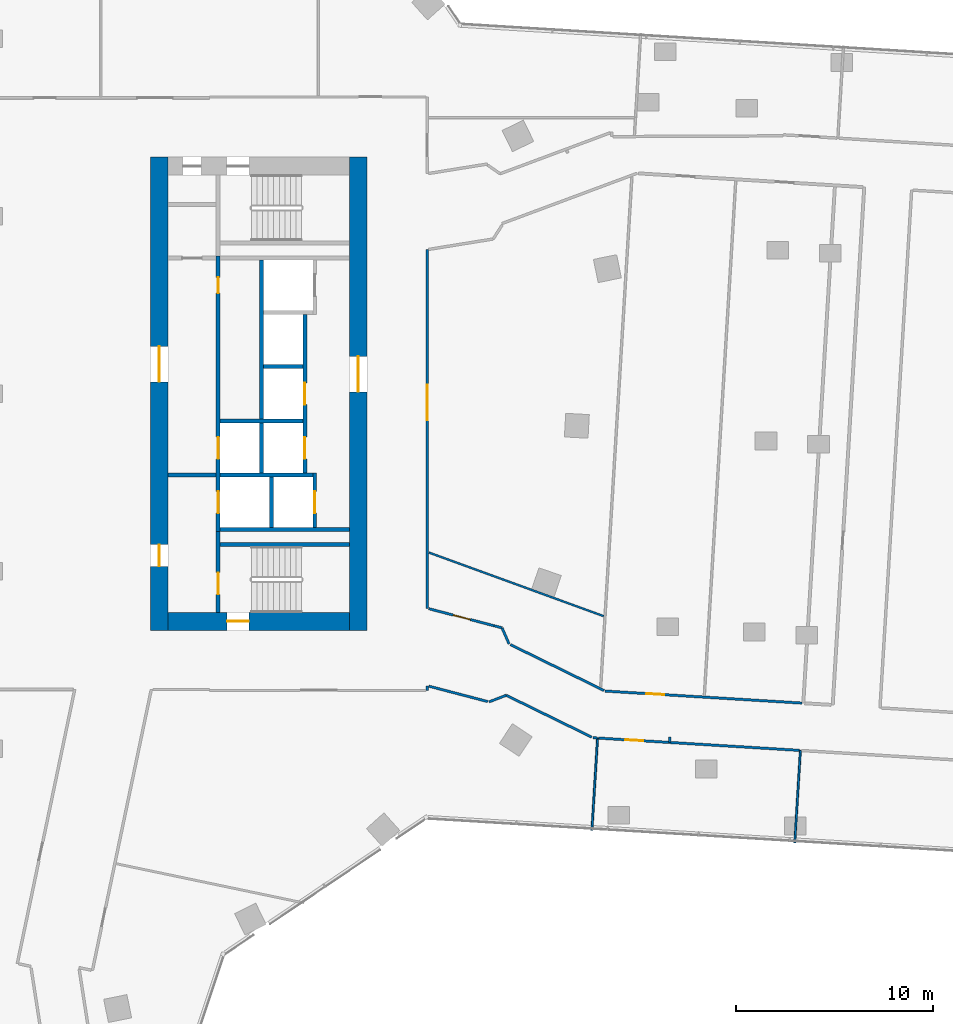
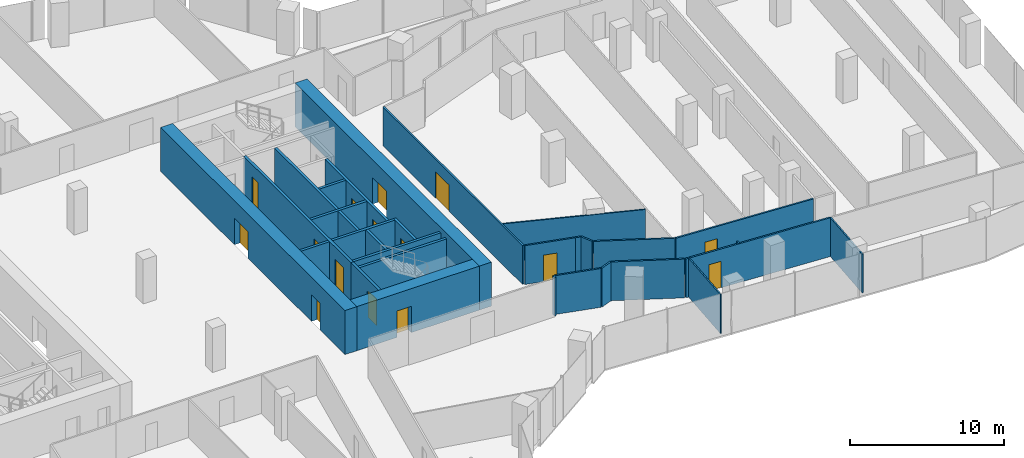
# One storey, part 24 of 32: 32 walls, 15 doors, 15 openings.
"""IFC4 building model written with IfcOpenShell, lengths in metres."""

from ifc_helpers import new_model, si_unit, direction, frame, frame_2d, origin, place, context, subcontext, project, spatial, rectangle, extrude, material, layer, layer_set, type_object, element, fill, save


model = new_model("IFC4")

# Units and contexts
model_context = context("Model", 3, precision=1e-05, world=origin(), true_north=direction((0.0, 1.0)))
body_context = subcontext(model_context, "Body", "Model", "MODEL_VIEW")
ifc_project = project(units=[si_unit("LENGTHUNIT", "METRE"), si_unit("AREAUNIT", "SQUARE_METRE"), si_unit("VOLUMEUNIT", "CUBIC_METRE"), si_unit("PLANEANGLEUNIT", "RADIAN"), si_unit("MASSUNIT", "GRAM", prefix="KILO")], contexts=[model_context])

# Site, building, storey
site_placement = place(None, origin())
site = spatial("IfcSite", under=ifc_project, at=site_placement, CompositionType="ELEMENT")
building_placement = place(site_placement, origin())
building = spatial("IfcBuilding", under=site, at=building_placement, Name="Orlundy Tower", CompositionType="ELEMENT")
storey_placement = place(building_placement, frame((0.0, 0.0, 152.60009765625)))
storey = spatial("IfcBuildingStorey", under=building, at=storey_placement, Name="L39", CompositionType="ELEMENT", Elevation=152.60009765625)

# Wall, opening, door
ifc_material_1 = material(Name="Concrete C70/85", Category="concrete")
ifc_layer_1 = layer(ifc_material_1, 0.89990234375)
ifc_layer_set_1 = layer_set([ifc_layer_1], Name="CORE WALL 900 C70/85")
wall_type_1 = type_object("IfcWallType", Name="CORE WALL 900 C70/85", PredefinedType="SHEAR", material=ifc_layer_set_1)
wall_1_placement = place(storey_placement, frame((8.89990234375, -11.550048828125, 0.0), z_axis=(0.0, 0.0, 1.0), x_axis=(1.0, 0.0, 0.0)))
wall_1 = element("IfcWall", 1, at=wall_1_placement, inside=storey, type_object=wall_type_1, Name="Core wall E-S L39", PredefinedType="SHEAR", context=body_context, shape_type="SweptSolid", body=[
    extrude(rectangle(XDim=9.2001953125, YDim=0.89990234375, at=frame_2d((4.60009765625, 0.0))), origin(), (0.0, 0.0, 1.0), 3.5),
])
opening_1_placement = place(wall_1_placement, frame((3.0, 0.0, 0.0)))
opening_1 = element("IfcOpeningElement", 2, at=opening_1_placement, cuts=wall_1, Name="Opening 30060", PredefinedType="OPENING", context=body_context, shape_type="SweptSolid", body=[
    extrude(rectangle(XDim=1.10009765625, YDim=2.10009765625, at=frame_2d((0.550048828125, 1.050048828125))), frame((0.0, 0.4599609375, 0.0), z_axis=(0.0, -1.0, 0.0), x_axis=(1.0, 0.0, 0.0)), (0.0, 0.0, 1.0), 0.919921875),
])
ifc_material_2 = material(Name="Steel door set", Category="steel")
door_type_1 = type_object("IfcDoorType", Name="Stair Door 1100x2100", OperationType="SINGLE_SWING_LEFT", PredefinedType="DOOR", material=ifc_material_2)
door_1_placement = place(opening_1_placement, origin())
door_1 = element("IfcDoor", 3, at=door_1_placement, inside=storey, type_object=door_type_1, Name="Stair door 30060", OperationType="SINGLE_SWING_LEFT", OverallHeight=2.10009765625, OverallWidth=1.10009765625, PredefinedType="DOOR", context=body_context, shape_type="SweptSolid", body=[
    extrude(rectangle(XDim=1.10009765625, YDim=2.10009765625, at=frame_2d((0.550048828125, 1.050048828125))), frame((0.0, 0.02490234375, 0.0), z_axis=(0.0, -1.0, 0.0), x_axis=(1.0, 0.0, 0.0)), (0.0, 0.0, 1.0), 0.050048828125),
])
fill(opening_1, door_1)

# Wall, openings, doors
wall_2_placement = place(storey_placement, frame((8.449951171875, -12.0, 0.0), z_axis=(0.0, 0.0, 1.0), x_axis=(0.0, 1.0, 0.0)))
wall_2 = element("IfcWall", 4, at=wall_2_placement, inside=storey, type_object=wall_type_1, Name="Core wall E-W L39", PredefinedType="SHEAR", context=body_context, shape_type="SweptSolid", body=[
    extrude(rectangle(XDim=24.0, YDim=0.89990234375, at=frame_2d((12.0, 0.0))), origin(), (0.0, 0.0, 1.0), 3.5),
])
opening_2_placement = place(wall_2_placement, frame((12.60009765625, 0.0, 0.0)))
opening_2 = element("IfcOpeningElement", 5, at=opening_2_placement, cuts=wall_2, Name="Opening 30057", PredefinedType="OPENING", context=body_context, shape_type="SweptSolid", body=[
    extrude(rectangle(XDim=1.800048828125, YDim=2.10009765625, at=frame_2d((0.89990234375, 1.050048828125))), frame((0.0, 0.4599609375, 0.0), z_axis=(0.0, -1.0, 0.0), x_axis=(1.0, 0.0, 0.0)), (0.0, 0.0, 1.0), 0.919921875),
])
opening_3_placement = place(wall_2_placement, frame((3.25, 0.0, 0.0)))
opening_3 = element("IfcOpeningElement", 6, at=opening_3_placement, cuts=wall_2, Name="Opening 30059", PredefinedType="OPENING", context=body_context, shape_type="SweptSolid", body=[
    extrude(rectangle(XDim=1.10009765625, YDim=2.10009765625, at=frame_2d((0.550048828125, 1.050048828125))), frame((0.0, 0.4599609375, 0.0), z_axis=(0.0, -1.0, 0.0), x_axis=(1.0, 0.0, 0.0)), (0.0, 0.0, 1.0), 0.919921875),
])
ifc_material_3 = material(Name="Steel door set", Category="steel")
door_type_2 = type_object("IfcDoorType", Name="Fire-fighting Lobby Door 1100x2100", OperationType="SINGLE_SWING_LEFT", PredefinedType="DOOR", material=ifc_material_3)
door_2_placement = place(opening_3_placement, origin())
door_2 = element("IfcDoor", 7, at=door_2_placement, inside=storey, type_object=door_type_2, Name="Fire-fighting lobby door 30059", OperationType="SINGLE_SWING_LEFT", OverallHeight=2.10009765625, OverallWidth=1.10009765625, PredefinedType="DOOR", context=body_context, shape_type="SweptSolid", body=[
    extrude(rectangle(XDim=1.10009765625, YDim=2.10009765625, at=frame_2d((0.550048828125, 1.050048828125))), frame((0.0, 0.02490234375, 0.0), z_axis=(0.0, -1.0, 0.0), x_axis=(1.0, 0.0, 0.0)), (0.0, 0.0, 1.0), 0.050048828125),
])
fill(opening_3, door_2)
ifc_material_4 = material(Name="Timber door set", Category="wood")
door_type_3 = type_object("IfcDoorType", Name="Lobby Door 1800x2100", OperationType="DOUBLE_DOOR_DOUBLE_SWING", PredefinedType="DOOR", material=ifc_material_4)
door_3_placement = place(opening_2_placement, origin())
door_3 = element("IfcDoor", 8, at=door_3_placement, inside=storey, type_object=door_type_3, Name="Lift lobby door 30057", OperationType="SINGLE_SWING_RIGHT", OverallHeight=2.10009765625, OverallWidth=1.800048828125, PredefinedType="DOOR", context=body_context, shape_type="SweptSolid", body=[
    extrude(rectangle(XDim=1.800048828125, YDim=2.10009765625, at=frame_2d((0.89990234375, 1.050048828125))), frame((0.0, 0.02490234375, 0.0), z_axis=(0.0, -1.0, 0.0), x_axis=(1.0, 0.0, 0.0)), (0.0, 0.0, 1.0), 0.050048828125),
])
fill(opening_2, door_3)

# Wall, opening, door
wall_3_placement = place(storey_placement, frame((18.550048828125, -12.0, 0.0), z_axis=(0.0, 0.0, 1.0), x_axis=(0.0, 1.0, 0.0)))
wall_3 = element("IfcWall", 9, at=wall_3_placement, inside=storey, type_object=wall_type_1, Name="Core wall E-E L39", PredefinedType="SHEAR", context=body_context, shape_type="SweptSolid", body=[
    extrude(rectangle(XDim=24.0, YDim=0.89990234375, at=frame_2d((12.0, 0.0))), origin(), (0.0, 0.0, 1.0), 3.5),
])
opening_4_placement = place(wall_3_placement, frame((12.10009765625, 0.0, 0.0)))
opening_4 = element("IfcOpeningElement", 10, at=opening_4_placement, cuts=wall_3, Name="Opening 30058", PredefinedType="OPENING", context=body_context, shape_type="SweptSolid", body=[
    extrude(rectangle(XDim=1.800048828125, YDim=2.10009765625, at=frame_2d((0.89990234375, 1.050048828125))), frame((0.0, 0.4599609375, 0.0), z_axis=(0.0, -1.0, 0.0), x_axis=(1.0, 0.0, 0.0)), (0.0, 0.0, 1.0), 0.919921875),
])
door_4_placement = place(opening_4_placement, origin())
door_4 = element("IfcDoor", 11, at=door_4_placement, inside=storey, type_object=door_type_3, Name="Lift lobby door 30058", OperationType="SINGLE_SWING_RIGHT", OverallHeight=2.10009765625, OverallWidth=1.800048828125, PredefinedType="DOOR", context=body_context, shape_type="SweptSolid", body=[
    extrude(rectangle(XDim=1.800048828125, YDim=2.10009765625, at=frame_2d((0.89990234375, 1.050048828125))), frame((0.0, 0.02490234375, 0.0), z_axis=(0.0, -1.0, 0.0), x_axis=(1.0, 0.0, 0.0)), (0.0, 0.0, 1.0), 0.050048828125),
])
fill(opening_4, door_4)

# Walls
ifc_material_5 = material(Name="Gypsum board partition")
ifc_layer_2 = layer(ifc_material_5, 0.10009765625)
ifc_layer_set_2 = layer_set([ifc_layer_2], Name="Floor partition 100")
wall_type_2 = type_object("IfcWallType", Name="Floor partition 100", PredefinedType="PARTITIONING", material=ifc_layer_set_2)
wall_4_placement = place(storey_placement, frame((22.131103515625, -8.054931640625, 0.0), z_axis=(0.0, 0.0, 1.0), x_axis=(0.939701226618, -0.341996498071, 0.0)))
element("IfcWall", 12, at=wall_4_placement, inside=storey, type_object=wall_type_2, Name="wall-int-L39-012", PredefinedType="PARTITIONING", context=body_context, shape_type="SweptSolid", body=[
    extrude(rectangle(XDim=9.43603515625, YDim=0.10009765625, at=frame_2d((4.718017578125, 0.0))), origin(), (0.0, 0.0, 1.0), 3.079833984375),
])
wall_5_placement = place(storey_placement, frame((40.68603515625, -22.77587890625, 0.0), z_axis=(0.0, 0.0, 1.0), x_axis=(0.060923886766, 0.998142414699, 0.0)))
element("IfcWall", 13, at=wall_5_placement, inside=storey, type_object=wall_type_2, Name="wall-int-L39-086", PredefinedType="PARTITIONING", context=body_context, shape_type="SweptSolid", body=[
    extrude(rectangle(XDim=4.692626953125, YDim=0.10009765625, at=frame_2d((2.34619140625, 0.0))), origin(), (0.0, 0.0, 1.0), 3.079833984375),
])
wall_6_placement = place(storey_placement, frame((30.39794921875, -22.14697265625, 0.0), z_axis=(0.0, 0.0, 1.0), x_axis=(0.060972554319, 0.998139442974, 0.0)))
element("IfcWall", 14, at=wall_6_placement, inside=storey, type_object=wall_type_2, Name="wall-int-L39-090", PredefinedType="PARTITIONING", context=body_context, shape_type="SweptSolid", body=[
    extrude(rectangle(XDim=4.69287109375, YDim=0.10009765625, at=frame_2d((2.346435546875, 0.0))), origin(), (0.0, 0.0, 1.0), 3.079833984375),
])
ifc_material_6 = material(Name="Gypsum board partition, double layer")
ifc_layer_3 = layer(ifc_material_6, 0.125)
ifc_layer_set_3 = layer_set([ifc_layer_3], Name="Floor partition 125")
wall_type_3 = type_object("IfcWallType", Name="Floor partition 125", PredefinedType="PARTITIONING", material=ifc_layer_set_3)
wall_7_placement = place(storey_placement, frame((34.34912109375, -17.405029296875, 0.0), z_axis=(0.0, 0.0, 1.0), x_axis=(0.017313421844, -0.999850111479, 0.0)))
element("IfcWall", 15, at=wall_7_placement, inside=storey, type_object=wall_type_3, Name="wall-int-L39-003", PredefinedType="PARTITIONING", context=body_context, shape_type="SweptSolid", body=[
    extrude(rectangle(XDim=0.281982421875, YDim=0.125, at=frame_2d((0.14111328125, 0.0))), origin(), (0.0, 0.0, 1.0), 3.079833984375),
])
wall_8_placement = place(storey_placement, frame((26.052001953125, -15.2939453125, 0.0), z_axis=(0.0, 0.0, 1.0), x_axis=(0.898165349965, -0.43965782618, 0.0)))
element("IfcWall", 16, at=wall_8_placement, inside=storey, type_object=wall_type_3, Name="wall-int-L39-009", PredefinedType="PARTITIONING", context=body_context, shape_type="SweptSolid", body=[
    extrude(rectangle(XDim=4.8310546875, YDim=0.125, at=frame_2d((2.41552734375, 0.0))), origin(), (0.0, 0.0, 1.0), 3.079833984375),
])
wall_9_placement = place(storey_placement, frame((31.013916015625, -15.052978515625, 0.0), z_axis=(0.0, 0.0, 1.0), x_axis=(-0.897926088568, 0.440146270538, 0.0)))
element("IfcWall", 17, at=wall_9_placement, inside=storey, type_object=wall_type_3, Name="wall-int-L39-010", PredefinedType="PARTITIONING", context=body_context, shape_type="SweptSolid", body=[
    extrude(rectangle(XDim=5.288818359375, YDim=0.125, at=frame_2d((2.64453125, 0.0))), origin(), (0.0, 0.0, 1.0), 3.079833984375),
])
wall_10_placement = place(storey_placement, frame((22.12890625, -14.83203125, 0.0), z_axis=(0.0, 0.0, 1.0), x_axis=(0.967419716648, -0.25317798451, 0.0)))
element("IfcWall", 18, at=wall_10_placement, inside=storey, type_object=wall_type_3, Name="wall-int-L39-026", PredefinedType="PARTITIONING", context=body_context, shape_type="SweptSolid", body=[
    extrude(rectangle(XDim=3.088623046875, YDim=0.125, at=frame_2d((1.54443359375, 0.0))), origin(), (0.0, 0.0, 1.0), 3.079833984375),
])

# Wall, opening, door
wall_11_placement = place(storey_placement, frame((22.12890625, -10.903076171875, 0.0), z_axis=(0.0, 0.0, 1.0), x_axis=(0.967418911518, -0.253181060977, 0.0)))
wall_11 = element("IfcWall", 19, at=wall_11_placement, inside=storey, type_object=wall_type_3, Name="wall-int-L39-027", PredefinedType="PARTITIONING", context=body_context, shape_type="SweptSolid", body=[
    extrude(rectangle(XDim=3.41650390625, YDim=0.125, at=frame_2d((1.708251953125, 0.0))), origin(), (0.0, 0.0, 1.0), 3.079833984375),
])
opening_5_placement = place(wall_11_placement, frame((1.26904296875, 0.0, 0.0)))
opening_5 = element("IfcOpeningElement", 20, at=opening_5_placement, cuts=wall_11, Name="Opening 30126", PredefinedType="OPENING", context=body_context, shape_type="SweptSolid", body=[
    extrude(rectangle(XDim=0.89990234375, YDim=2.10009765625, at=frame_2d((0.449951171875, 1.050048828125))), frame((0.0, 0.072509765625, 0.0), z_axis=(0.0, -1.0, 0.0), x_axis=(1.0, 0.0, 0.0)), (0.0, 0.0, 1.0), 0.14501953125),
])
ifc_material_7 = material(Name="Timber door leaf", Category="wood")
door_type_4 = type_object("IfcDoorType", Name="Floor door single 900 FD30S", OperationType="NOTDEFINED", PredefinedType="DOOR", material=ifc_material_7)
door_5_placement = place(opening_5_placement, origin())
door_5 = element("IfcDoor", 21, at=door_5_placement, inside=storey, type_object=door_type_4, Name="Door 30126", OperationType="SINGLE_SWING_RIGHT", OverallHeight=2.10009765625, OverallWidth=0.89990234375, PredefinedType="DOOR", context=body_context, shape_type="SweptSolid", body=[
    extrude(rectangle(XDim=0.89990234375, YDim=2.10009765625, at=frame_2d((0.449951171875, 1.050048828125))), frame((0.0, 0.02490234375, 0.0), z_axis=(0.0, -1.0, 0.0), x_axis=(1.0, 0.0, 0.0)), (0.0, 0.0, 1.0), 0.050048828125),
])
fill(opening_5, door_5)

# Walls
wall_12_placement = place(storey_placement, frame((25.43505859375, -11.76806640625, 0.0), z_axis=(0.0, 0.0, 1.0), x_axis=(0.967293731239, -0.253658899914, 0.0)))
element("IfcWall", 22, at=wall_12_placement, inside=storey, type_object=wall_type_3, Name="wall-int-L39-028", PredefinedType="PARTITIONING", context=body_context, shape_type="SweptSolid", body=[
    extrude(rectangle(XDim=0.417724609375, YDim=0.125, at=frame_2d((0.208984375, 0.0))), origin(), (0.0, 0.0, 1.0), 3.079833984375),
])
wall_13_placement = place(storey_placement, frame((30.445068359375, -17.447998046875, 0.0), z_axis=(0.0, 0.0, 1.0), x_axis=(0.998064460788, -0.062187877536, 0.0)))
element("IfcWall", 23, at=wall_13_placement, inside=storey, type_object=wall_type_3, Name="wall-int-L39-034", PredefinedType="PARTITIONING", context=body_context, shape_type="SweptSolid", body=[
    extrude(rectangle(XDim=0.239501953125, YDim=0.125, at=frame_2d((0.11962890625, 0.0))), origin(), (0.0, 0.0, 1.0), 3.079833984375),
])

# Wall, opening, door
wall_14_placement = place(storey_placement, frame((40.923095703125, -18.089111328125, 0.0), z_axis=(0.0, 0.0, 1.0), x_axis=(-0.998135704692, 0.06103372034, 0.0)))
wall_14 = element("IfcWall", 24, at=wall_14_placement, inside=storey, type_object=wall_type_3, Name="wall-int-L39-037", PredefinedType="PARTITIONING", context=body_context, shape_type="SweptSolid", body=[
    extrude(rectangle(XDim=10.208251953125, YDim=0.125, at=frame_2d((5.10400390625, 0.0))), origin(), (0.0, 0.0, 1.0), 3.079833984375),
])
opening_6_placement = place(wall_14_placement, frame((7.9375, 0.0, 0.0)))
opening_6 = element("IfcOpeningElement", 25, at=opening_6_placement, cuts=wall_14, Name="Opening 30107", PredefinedType="OPENING", context=body_context, shape_type="SweptSolid", body=[
    extrude(rectangle(XDim=0.89990234375, YDim=2.10009765625, at=frame_2d((0.449951171875, 1.050048828125))), frame((0.0, 0.072509765625, 0.0), z_axis=(0.0, -1.0, 0.0), x_axis=(1.0, 0.0, 0.0)), (0.0, 0.0, 1.0), 0.14501953125),
])
door_6_placement = place(opening_6_placement, origin())
door_6 = element("IfcDoor", 26, at=door_6_placement, inside=storey, type_object=door_type_4, Name="Door 30107", OperationType="SINGLE_SWING_RIGHT", OverallHeight=2.10009765625, OverallWidth=0.89990234375, PredefinedType="DOOR", context=body_context, shape_type="SweptSolid", body=[
    extrude(rectangle(XDim=0.89990234375, YDim=2.10009765625, at=frame_2d((0.449951171875, 1.050048828125))), frame((0.0, 0.02490234375, 0.0), z_axis=(0.0, -1.0, 0.0), x_axis=(1.0, 0.0, 0.0)), (0.0, 0.0, 1.0), 0.050048828125),
])
fill(opening_6, door_6)

wall_15_placement = place(storey_placement, frame((31.070068359375, -15.0810546875, 0.0), z_axis=(0.0, 0.0, 1.0), x_axis=(0.998141754277, -0.060934705778, 0.0)))
wall_15 = element("IfcWall", 27, at=wall_15_placement, inside=storey, type_object=wall_type_3, Name="wall-int-L39-039", PredefinedType="PARTITIONING", context=body_context, shape_type="SweptSolid", body=[
    extrude(rectangle(XDim=9.992431640625, YDim=0.125, at=frame_2d((4.99609375, 0.0))), origin(), (0.0, 0.0, 1.0), 3.079833984375),
])
opening_7_placement = place(wall_15_placement, frame((2.10009765625, 0.0, 0.0)))
opening_7 = element("IfcOpeningElement", 28, at=opening_7_placement, cuts=wall_15, Name="Opening 30101", PredefinedType="OPENING", context=body_context, shape_type="SweptSolid", body=[
    extrude(rectangle(XDim=0.89990234375, YDim=2.10009765625, at=frame_2d((0.449951171875, 1.050048828125))), frame((0.0, 0.072509765625, 0.0), z_axis=(0.0, -1.0, 0.0), x_axis=(1.0, 0.0, 0.0)), (0.0, 0.0, 1.0), 0.14501953125),
])
door_7_placement = place(opening_7_placement, origin())
door_7 = element("IfcDoor", 29, at=door_7_placement, inside=storey, type_object=door_type_4, Name="Door 30101", OperationType="SINGLE_SWING_LEFT", OverallHeight=2.10009765625, OverallWidth=0.89990234375, PredefinedType="DOOR", context=body_context, shape_type="SweptSolid", body=[
    extrude(rectangle(XDim=0.89990234375, YDim=2.10009765625, at=frame_2d((0.449951171875, 1.050048828125))), frame((0.0, 0.02490234375, 0.0), z_axis=(0.0, -1.0, 0.0), x_axis=(1.0, 0.0, 0.0)), (0.0, 0.0, 1.0), 0.050048828125),
])
fill(opening_7, door_7)

# Walls
wall_16_placement = place(storey_placement, frame((26.196044921875, -12.69091796875, 0.0), z_axis=(0.0, 0.0, 1.0), x_axis=(-0.400387792065, 0.916345794973, 0.0)))
element("IfcWall", 30, at=wall_16_placement, inside=storey, type_object=wall_type_3, Name="wall-int-L39-076", PredefinedType="PARTITIONING", context=body_context, shape_type="SweptSolid", body=[
    extrude(rectangle(XDim=0.891357421875, YDim=0.125, at=frame_2d((0.44580078125, 0.0))), origin(), (0.0, 0.0, 1.0), 3.079833984375),
])
wall_17_placement = place(storey_placement, frame((25.177978515625, -15.6298828125, 0.0), z_axis=(0.0, 0.0, 1.0), x_axis=(0.933426221906, 0.358769408196, 0.0)))
element("IfcWall", 31, at=wall_17_placement, inside=storey, type_object=wall_type_3, Name="wall-int-L39-077", PredefinedType="PARTITIONING", context=body_context, shape_type="SweptSolid", body=[
    extrude(rectangle(XDim=0.936279296875, YDim=0.125, at=frame_2d((0.46826171875, 0.0))), origin(), (0.0, 0.0, 1.0), 3.079833984375),
])
wall_18_placement = place(storey_placement, frame((22.051025390625, -15.050048828125, 0.0), z_axis=(0.0, 0.0, 1.0), x_axis=(0.0, 1.0, 0.0)))
element("IfcWall", 32, at=wall_18_placement, inside=storey, type_object=wall_type_3, Name="wall-int-L39-096", PredefinedType="PARTITIONING", context=body_context, shape_type="SweptSolid", body=[
    extrude(rectangle(XDim=0.239013671875, YDim=0.125, at=frame_2d((0.11962890625, 0.0))), origin(), (0.0, 0.0, 1.0), 3.079833984375),
])

# Wall, opening, door
wall_19_placement = place(storey_placement, frame((22.051025390625, 7.30908203125, 0.0), z_axis=(0.0, 0.0, 1.0), x_axis=(0.0, -1.0, 0.0)))
wall_19 = element("IfcWall", 33, at=wall_19_placement, inside=storey, type_object=wall_type_3, Name="wall-int-L39-097", PredefinedType="PARTITIONING", context=body_context, shape_type="SweptSolid", body=[
    extrude(rectangle(XDim=18.191162109375, YDim=0.125, at=frame_2d((9.095703125, 0.0))), origin(), (0.0, 0.0, 1.0), 3.079833984375),
])
opening_8_placement = place(wall_19_placement, frame((6.85009765625, 0.0, 0.0)))
opening_8 = element("IfcOpeningElement", 34, at=opening_8_placement, cuts=wall_19, Name="Opening 30127", PredefinedType="OPENING", context=body_context, shape_type="SweptSolid", body=[
    extrude(rectangle(XDim=1.800048828125, YDim=2.10009765625, at=frame_2d((0.89990234375, 1.050048828125))), frame((0.0, 0.072509765625, 0.0), z_axis=(0.0, -1.0, 0.0), x_axis=(1.0, 0.0, 0.0)), (0.0, 0.0, 1.0), 0.14501953125),
])
ifc_material_8 = material(Name="Timber door leaf", Category="wood")
door_type_5 = type_object("IfcDoorType", Name="Floor door double 1800 FD30S", OperationType="NOTDEFINED", PredefinedType="DOOR", material=ifc_material_8)
door_8_placement = place(opening_8_placement, origin())
door_8 = element("IfcDoor", 35, at=door_8_placement, inside=storey, type_object=door_type_5, Name="Door 30127", OperationType="DOUBLE_DOOR_SINGLE_SWING", OverallHeight=2.10009765625, OverallWidth=1.800048828125, PredefinedType="DOOR", context=body_context, shape_type="SweptSolid", body=[
    extrude(rectangle(XDim=1.800048828125, YDim=2.10009765625, at=frame_2d((0.89990234375, 1.050048828125))), frame((0.0, 0.02490234375, 0.0), z_axis=(0.0, -1.0, 0.0), x_axis=(1.0, 0.0, 0.0)), (0.0, 0.0, 1.0), 0.050048828125),
])
fill(opening_8, door_8)

ifc_material_9 = material(Name="Concrete C40/50", Category="concrete")
ifc_layer_4 = layer(ifc_material_9, 0.199951171875)
ifc_layer_set_4 = layer_set([ifc_layer_4], Name="Load-bearing Shaft Wall 200")
wall_type_4 = type_object("IfcWallType", Name="Load-bearing Shaft Wall 200", PredefinedType="SOLIDWALL", material=ifc_layer_set_4)
wall_20_placement = place(storey_placement, frame((11.43994140625, -6.97509765625, 0.0), z_axis=(0.0, 0.0, 1.0), x_axis=(0.0, -1.0, 0.0)))
wall_20 = element("IfcWall", 36, at=wall_20_placement, inside=storey, type_object=wall_type_4, Name="Shaft wall E30-stair-end-n", PredefinedType="SOLIDWALL", context=body_context, shape_type="SweptSolid", body=[
    extrude(rectangle(XDim=4.125, YDim=0.199951171875, at=frame_2d((2.0625, 0.0))), origin(), (0.0, 0.0, 1.0), 3.08984375),
])
opening_9_placement = place(wall_20_placement, frame((2.10009765625, 0.0, 0.0)))
opening_9 = element("IfcOpeningElement", 37, at=opening_9_placement, cuts=wall_20, Name="Opening 30062", PredefinedType="OPENING", context=body_context, shape_type="SweptSolid", body=[
    extrude(rectangle(XDim=1.10009765625, YDim=2.10009765625, at=frame_2d((0.550048828125, 1.050048828125))), frame((0.0, 0.110107421875, 0.0), z_axis=(0.0, -1.0, 0.0), x_axis=(1.0, 0.0, 0.0)), (0.0, 0.0, 1.0), 0.22021484375),
])
door_9_placement = place(opening_9_placement, origin())
door_9 = element("IfcDoor", 38, at=door_9_placement, inside=storey, type_object=door_type_2, Name="Fire-fighting lobby to stair door 30062", OperationType="SINGLE_SWING_RIGHT", OverallHeight=2.10009765625, OverallWidth=1.10009765625, PredefinedType="DOOR", context=body_context, shape_type="SweptSolid", body=[
    extrude(rectangle(XDim=1.10009765625, YDim=2.10009765625, at=frame_2d((0.550048828125, 1.050048828125))), frame((0.0, 0.02490234375, 0.0), z_axis=(0.0, -1.0, 0.0), x_axis=(1.0, 0.0, 0.0)), (0.0, 0.0, 1.0), 0.050048828125),
])
fill(opening_9, door_9)

# Walls
wall_21_placement = place(storey_placement, frame((11.5400390625, -7.64990234375, 0.0), z_axis=(0.0, 0.0, 1.0), x_axis=(1.0, 0.0, 0.0)))
element("IfcWall", 39, at=wall_21_placement, inside=storey, type_object=wall_type_4, Name="Shaft wall E30-stair-side-n", PredefinedType="SOLIDWALL", context=body_context, shape_type="SweptSolid", body=[
    extrude(rectangle(XDim=6.56005859375, YDim=0.199951171875, at=frame_2d((3.280029296875, 0.0))), origin(), (0.0, 0.0, 1.0), 3.08984375),
])
ifc_material_10 = material(Name="Gypsum board partition on steel studs", Category="steel")
ifc_layer_5 = layer(ifc_material_10, 0.199951171875)
ifc_layer_set_5 = layer_set([ifc_layer_5], Name="Partition 200")
wall_type_5 = type_object("IfcWallType", Name="Partition 200", PredefinedType="PARTITIONING", material=ifc_layer_set_5)
wall_22_placement = place(storey_placement, frame((8.89990234375, -4.125, 0.0), z_axis=(0.0, 0.0, 1.0), x_axis=(1.0, 0.0, 0.0)))
element("IfcWall", 40, at=wall_22_placement, inside=storey, type_object=wall_type_5, Name="Partition wall E30-lobby-n", PredefinedType="PARTITIONING", context=body_context, shape_type="SweptSolid", body=[
    extrude(rectangle(XDim=2.440185546875, YDim=0.199951171875, at=frame_2d((1.22021484375, 0.0))), origin(), (0.0, 0.0, 1.0), 3.08984375),
])
ifc_material_11 = material(Name="Fire-rated blockwork shaft wall", Category="masonry")
ifc_layer_6 = layer(ifc_material_11, 0.199951171875)
ifc_layer_set_6 = layer_set([ifc_layer_6], Name="Shaft Wall 200")
wall_type_6 = type_object("IfcWallType", Name="Shaft Wall 200", PredefinedType="SOLIDWALL", material=ifc_layer_set_6)
wall_23_placement = place(storey_placement, frame((11.5400390625, -6.875, 0.0), z_axis=(0.0, 0.0, 1.0), x_axis=(1.0, 0.0, 0.0)))
element("IfcWall", 41, at=wall_23_placement, inside=storey, type_object=wall_type_6, Name="Shaft wall E30-zone-n", PredefinedType="SOLIDWALL", context=body_context, shape_type="SweptSolid", body=[
    extrude(rectangle(XDim=6.56005859375, YDim=0.199951171875, at=frame_2d((3.280029296875, 0.0))), origin(), (0.0, 0.0, 1.0), 3.08984375),
])
wall_24_placement = place(storey_placement, frame((13.739990234375, 1.375, 0.0), z_axis=(0.0, 0.0, 1.0), x_axis=(1.0, 0.0, 0.0)))
element("IfcWall", 42, at=wall_24_placement, inside=storey, type_object=wall_type_6, Name="Shaft wall E30-cross-1.375", PredefinedType="SOLIDWALL", context=body_context, shape_type="SweptSolid", body=[
    extrude(rectangle(XDim=2.0, YDim=0.199951171875, at=frame_2d((1.0, 0.0))), origin(), (0.0, 0.0, 1.0), 3.08984375),
])
wall_25_placement = place(storey_placement, frame((11.5400390625, -1.375, 0.0), z_axis=(0.0, 0.0, 1.0), x_axis=(1.0, 0.0, 0.0)))
element("IfcWall", 43, at=wall_25_placement, inside=storey, type_object=wall_type_6, Name="Shaft wall E30-cross+1.375", PredefinedType="SOLIDWALL", context=body_context, shape_type="SweptSolid", body=[
    extrude(rectangle(XDim=4.199951171875, YDim=0.199951171875, at=frame_2d((2.10009765625, 0.0))), origin(), (0.0, 0.0, 1.0), 3.08984375),
])
wall_26_placement = place(storey_placement, frame((11.5400390625, -4.125, 0.0), z_axis=(0.0, 0.0, 1.0), x_axis=(1.0, 0.0, 0.0)))
element("IfcWall", 44, at=wall_26_placement, inside=storey, type_object=wall_type_6, Name="Shaft wall E30-cross+4.125", PredefinedType="SOLIDWALL", context=body_context, shape_type="SweptSolid", body=[
    extrude(rectangle(XDim=4.699951171875, YDim=0.199951171875, at=frame_2d((2.35009765625, 0.0))), origin(), (0.0, 0.0, 1.0), 3.08984375),
])

# Wall, openings, doors
wall_27_placement = place(storey_placement, frame((11.43994140625, 6.97509765625, 0.0), z_axis=(0.0, 0.0, 1.0), x_axis=(0.0, -1.0, 0.0)))
wall_27 = element("IfcWall", 45, at=wall_27_placement, inside=storey, type_object=wall_type_6, Name="Shaft wall E30-front-h", PredefinedType="SOLIDWALL", context=body_context, shape_type="SweptSolid", body=[
    extrude(rectangle(XDim=13.9501953125, YDim=0.199951171875, at=frame_2d((6.97509765625, 0.0))), origin(), (0.0, 0.0, 1.0), 3.08984375),
])
opening_10_placement = place(wall_27_placement, frame((9.175048828125, 0.0, 0.0)))
opening_10 = element("IfcOpeningElement", 46, at=opening_10_placement, cuts=wall_27, Name="Opening 30052", PredefinedType="OPENING", context=body_context, shape_type="SweptSolid", body=[
    extrude(rectangle(XDim=1.10009765625, YDim=2.10009765625, at=frame_2d((0.550048828125, 1.050048828125))), frame((0.0, 0.110107421875, 0.0), z_axis=(0.0, -1.0, 0.0), x_axis=(1.0, 0.0, 0.0)), (0.0, 0.0, 1.0), 0.22021484375),
])
opening_11_placement = place(wall_27_placement, frame((11.925048828125, 0.0, 0.0)))
opening_11 = element("IfcOpeningElement", 47, at=opening_11_placement, cuts=wall_27, Name="Opening 30054", PredefinedType="OPENING", context=body_context, shape_type="SweptSolid", body=[
    extrude(rectangle(XDim=1.10009765625, YDim=2.10009765625, at=frame_2d((0.550048828125, 1.050048828125))), frame((0.0, 0.110107421875, 0.0), z_axis=(0.0, -1.0, 0.0), x_axis=(1.0, 0.0, 0.0)), (0.0, 0.0, 1.0), 0.22021484375),
])
opening_12_placement = place(wall_27_placement, frame((1.074951171875, 0.0, 0.0)))
opening_12 = element("IfcOpeningElement", 48, at=opening_12_placement, cuts=wall_27, Name="Opening 30056", PredefinedType="OPENING", context=body_context, shape_type="SweptSolid", body=[
    extrude(rectangle(XDim=0.800048828125, YDim=2.10009765625, at=frame_2d((0.39990234375, 1.050048828125))), frame((0.0, 0.110107421875, 0.0), z_axis=(0.0, -1.0, 0.0), x_axis=(1.0, 0.0, 0.0)), (0.0, 0.0, 1.0), 0.22021484375),
])
ifc_material_12 = material(Name="Steel door set", Category="steel")
door_type_6 = type_object("IfcDoorType", Name="Landing Door 1100x2100", OperationType="DOUBLE_DOOR_SLIDING", PredefinedType="DOOR", material=ifc_material_12)
door_10_placement = place(opening_10_placement, origin())
door_10 = element("IfcDoor", 49, at=door_10_placement, inside=storey, type_object=door_type_6, Name="Lift landing door LP-16 30052", OperationType="DOUBLE_DOOR_SLIDING", OverallHeight=2.10009765625, OverallWidth=1.10009765625, PredefinedType="DOOR", context=body_context, shape_type="SweptSolid", body=[
    extrude(rectangle(XDim=1.10009765625, YDim=2.10009765625, at=frame_2d((0.550048828125, 1.050048828125))), frame((0.0, 0.02490234375, 0.0), z_axis=(0.0, -1.0, 0.0), x_axis=(1.0, 0.0, 0.0)), (0.0, 0.0, 1.0), 0.050048828125),
])
fill(opening_10, door_10)
door_11_placement = place(opening_11_placement, origin())
door_11 = element("IfcDoor", 50, at=door_11_placement, inside=storey, type_object=door_type_6, Name="Lift landing door FL2 30054", OperationType="DOUBLE_DOOR_SLIDING", OverallHeight=2.10009765625, OverallWidth=1.10009765625, PredefinedType="DOOR", context=body_context, shape_type="SweptSolid", body=[
    extrude(rectangle(XDim=1.10009765625, YDim=2.10009765625, at=frame_2d((0.550048828125, 1.050048828125))), frame((0.0, 0.02490234375, 0.0), z_axis=(0.0, -1.0, 0.0), x_axis=(1.0, 0.0, 0.0)), (0.0, 0.0, 1.0), 0.050048828125),
])
fill(opening_11, door_11)
ifc_material_13 = material(Name="Timber door set", Category="wood")
door_type_7 = type_object("IfcDoorType", Name="Riser Door 800x2100", OperationType="SINGLE_SWING_LEFT", PredefinedType="DOOR", material=ifc_material_13)
door_12_placement = place(opening_12_placement, origin())
door_12 = element("IfcDoor", 51, at=door_12_placement, inside=storey, type_object=door_type_7, Name="Electrical Riser Room door 30056", OperationType="SINGLE_SWING_LEFT", OverallHeight=2.10009765625, OverallWidth=0.800048828125, PredefinedType="DOOR", context=body_context, shape_type="SweptSolid", body=[
    extrude(rectangle(XDim=0.800048828125, YDim=2.10009765625, at=frame_2d((0.39990234375, 1.050048828125))), frame((0.0, 0.02490234375, 0.0), z_axis=(0.0, -1.0, 0.0), x_axis=(1.0, 0.0, 0.0)), (0.0, 0.0, 1.0), 0.050048828125),
])
fill(opening_12, door_12)

# Walls
wall_28_placement = place(storey_placement, frame((13.639892578125, 6.77490234375, 0.0), z_axis=(0.0, 0.0, 1.0), x_axis=(0.0, -1.0, 0.0)))
element("IfcWall", 52, at=wall_28_placement, inside=storey, type_object=wall_type_6, Name="Shaft wall E30-mid-a", PredefinedType="SOLIDWALL", context=body_context, shape_type="SweptSolid", body=[
    extrude(rectangle(XDim=8.0498046875, YDim=0.199951171875, at=frame_2d((4.02490234375, 0.0))), origin(), (0.0, 0.0, 1.0), 3.08984375),
])
for number, where, z_axis, x_axis, name in (
    (53, (13.639892578125, -1.47509765625, 0.0), (0.0, 0.0, 1.0), (0.0, -1.0, 0.0), "Shaft wall E30-mid-a.1"),
    (54, (14.139892578125, -4.22509765625, 0.0), (0.0, 0.0, 1.0), (0.0, -1.0, 0.0), "Shaft wall E30-mid-b"),
):
    element("IfcWall", number, at=place(storey_placement, frame(where, z_axis=z_axis, x_axis=x_axis)), inside=storey, type_object=wall_type_6, Name=name, PredefinedType="SOLIDWALL", context=body_context, shape_type="SweptSolid", body=[
        extrude(rectangle(XDim=2.5498046875, YDim=0.199951171875, at=frame_2d((1.27490234375, 0.0))), origin(), (0.0, 0.0, 1.0), 3.08984375),
    ])

# Wall, openings, doors
wall_29_placement = place(storey_placement, frame((15.840087890625, 4.02490234375, 0.0), z_axis=(0.0, 0.0, 1.0), x_axis=(0.0, -1.0, 0.0)))
wall_29 = element("IfcWall", 55, at=wall_29_placement, inside=storey, type_object=wall_type_6, Name="Shaft wall E30-front-o-b", PredefinedType="SOLIDWALL", context=body_context, shape_type="SweptSolid", body=[
    extrude(rectangle(XDim=8.0498046875, YDim=0.199951171875, at=frame_2d((4.02490234375, 0.0))), origin(), (0.0, 0.0, 1.0), 3.08984375),
])
opening_13_placement = place(wall_29_placement, frame((3.47509765625, 0.0, 0.0)))
opening_13 = element("IfcOpeningElement", 56, at=opening_13_placement, cuts=wall_29, Name="Opening 30051", PredefinedType="OPENING", context=body_context, shape_type="SweptSolid", body=[
    extrude(rectangle(XDim=1.10009765625, YDim=2.10009765625, at=frame_2d((0.550048828125, 1.050048828125))), frame((0.0, 0.110107421875, 0.0), z_axis=(0.0, -1.0, 0.0), x_axis=(1.0, 0.0, 0.0)), (0.0, 0.0, 1.0), 0.22021484375),
])
opening_14_placement = place(wall_29_placement, frame((6.22509765625, 0.0, 0.0)))
opening_14 = element("IfcOpeningElement", 57, at=opening_14_placement, cuts=wall_29, Name="Opening 30053", PredefinedType="OPENING", context=body_context, shape_type="SweptSolid", body=[
    extrude(rectangle(XDim=1.10009765625, YDim=2.10009765625, at=frame_2d((0.550048828125, 1.050048828125))), frame((0.0, 0.110107421875, 0.0), z_axis=(0.0, -1.0, 0.0), x_axis=(1.0, 0.0, 0.0)), (0.0, 0.0, 1.0), 0.22021484375),
])
door_13_placement = place(opening_13_placement, origin())
door_13 = element("IfcDoor", 58, at=door_13_placement, inside=storey, type_object=door_type_6, Name="Lift landing door LP-15 30051", OperationType="DOUBLE_DOOR_SLIDING", OverallHeight=2.10009765625, OverallWidth=1.10009765625, PredefinedType="DOOR", context=body_context, shape_type="SweptSolid", body=[
    extrude(rectangle(XDim=1.10009765625, YDim=2.10009765625, at=frame_2d((0.550048828125, 1.050048828125))), frame((0.0, 0.02490234375, 0.0), z_axis=(0.0, -1.0, 0.0), x_axis=(1.0, 0.0, 0.0)), (0.0, 0.0, 1.0), 0.050048828125),
])
fill(opening_13, door_13)
door_14_placement = place(opening_14_placement, origin())
door_14 = element("IfcDoor", 59, at=door_14_placement, inside=storey, type_object=door_type_6, Name="Lift landing door LP-17 30053", OperationType="DOUBLE_DOOR_SLIDING", OverallHeight=2.10009765625, OverallWidth=1.10009765625, PredefinedType="DOOR", context=body_context, shape_type="SweptSolid", body=[
    extrude(rectangle(XDim=1.10009765625, YDim=2.10009765625, at=frame_2d((0.550048828125, 1.050048828125))), frame((0.0, 0.02490234375, 0.0), z_axis=(0.0, -1.0, 0.0), x_axis=(1.0, 0.0, 0.0)), (0.0, 0.0, 1.0), 0.050048828125),
])
fill(opening_14, door_14)

# Wall, opening, door
wall_30_placement = place(storey_placement, frame((16.340087890625, -4.02490234375, 0.0), z_axis=(0.0, 0.0, 1.0), x_axis=(0.0, -1.0, 0.0)))
wall_30 = element("IfcWall", 60, at=wall_30_placement, inside=storey, type_object=wall_type_6, Name="Shaft wall E30-front-o-c", PredefinedType="SOLIDWALL", context=body_context, shape_type="SweptSolid", body=[
    extrude(rectangle(XDim=2.75, YDim=0.199951171875, at=frame_2d((1.375, 0.0))), origin(), (0.0, 0.0, 1.0), 3.08984375),
])
opening_15_placement = place(wall_30_placement, frame((0.925048828125, 0.0, 0.0)))
opening_15 = element("IfcOpeningElement", 61, at=opening_15_placement, cuts=wall_30, Name="Opening 30055", PredefinedType="OPENING", context=body_context, shape_type="SweptSolid", body=[
    extrude(rectangle(XDim=1.10009765625, YDim=2.10009765625, at=frame_2d((0.550048828125, 1.050048828125))), frame((0.0, 0.110107421875, 0.0), z_axis=(0.0, -1.0, 0.0), x_axis=(1.0, 0.0, 0.0)), (0.0, 0.0, 1.0), 0.22021484375),
])
door_15_placement = place(opening_15_placement, origin())
door_15 = element("IfcDoor", 62, at=door_15_placement, inside=storey, type_object=door_type_6, Name="Lift landing door LP-18 30055", OperationType="DOUBLE_DOOR_SLIDING", OverallHeight=2.10009765625, OverallWidth=1.10009765625, PredefinedType="DOOR", context=body_context, shape_type="SweptSolid", body=[
    extrude(rectangle(XDim=1.10009765625, YDim=2.10009765625, at=frame_2d((0.550048828125, 1.050048828125))), frame((0.0, 0.02490234375, 0.0), z_axis=(0.0, -1.0, 0.0), x_axis=(1.0, 0.0, 0.0)), (0.0, 0.0, 1.0), 0.050048828125),
])
fill(opening_15, door_15)

save(model, "model.ifc")
